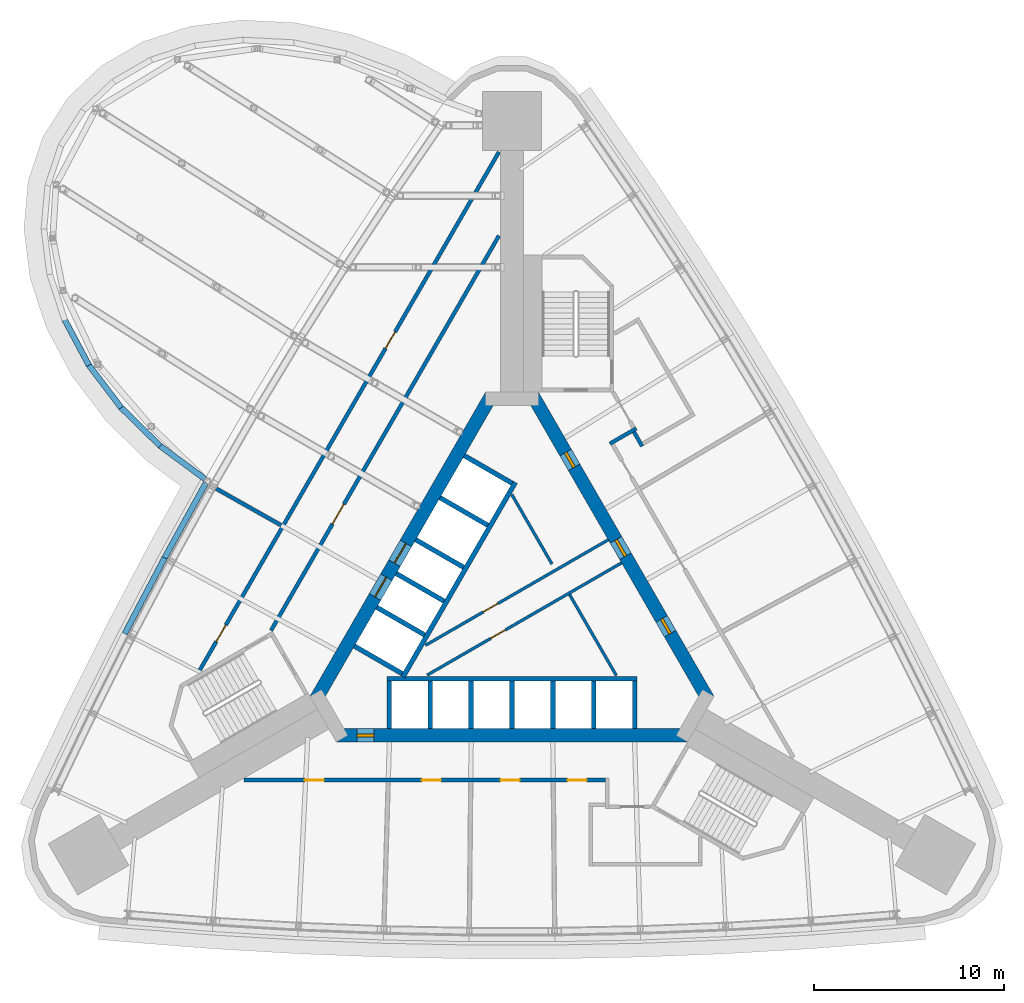
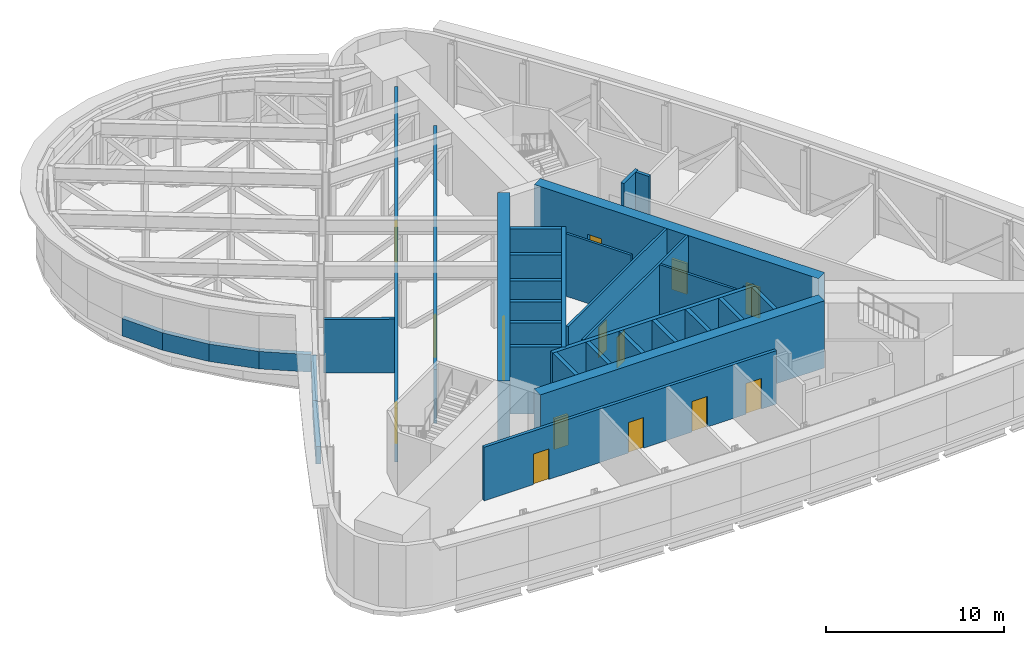
# One storey, part 7 of 11: 34 walls, 15 doors, 15 openings.
"""IFC4 building model written with IfcOpenShell, lengths in metres."""

from ifc_helpers import new_model, si_unit, direction, frame, frame_2d, origin, place, context, subcontext, project, spatial, polyline, rectangle, outline, extrude, material, layer, layer_set, type_object, element, fill, save


model = new_model("IFC4")

# Units and contexts
model_context = context("Model", 3, precision=1e-05, world=origin(), true_north=direction((0.0, 1.0)))
body_context = subcontext(model_context, "Body", "Model", "MODEL_VIEW")
ifc_project = project(units=[si_unit("LENGTHUNIT", "METRE"), si_unit("AREAUNIT", "SQUARE_METRE"), si_unit("VOLUMEUNIT", "CUBIC_METRE"), si_unit("PLANEANGLEUNIT", "RADIAN"), si_unit("MASSUNIT", "GRAM", prefix="KILO")], contexts=[model_context])

# Site, building, storey
site_placement = place(None, origin())
site = spatial("IfcSite", under=ifc_project, at=site_placement, CompositionType="ELEMENT")
building_placement = place(site_placement, origin())
building = spatial("IfcBuilding", under=site, at=building_placement, Name="Noor Cloister Tower", CompositionType="ELEMENT")
storey_placement = place(building_placement, frame((0.0, 0.0, 87.0)))
storey = spatial("IfcBuildingStorey", under=building, at=storey_placement, Name="L22", CompositionType="ELEMENT", Elevation=87.0)

# Wall, opening, door
ifc_material_1 = material(Name="Concrete C30/37", Category="concrete")
ifc_layer_1 = layer(ifc_material_1, 0.14990234375)
ifc_layer_set_1 = layer_set([ifc_layer_1], Name="Core partition 150 C30/37")
wall_type_1 = type_object("IfcWallType", Name="Core partition 150 C30/37", PredefinedType="PARTITIONING", material=ifc_layer_set_1)
wall_1_placement = place(storey_placement, frame((-4.547607421875, -1.8505859375, 0.0), z_axis=(0.0, 0.0, 1.0), x_axis=(0.866023939251, 0.500002536638, 0.0)))
wall_1 = element("IfcWall", 1, at=wall_1_placement, inside=storey, type_object=wall_type_1, Name="Core room partition L22 1", PredefinedType="PARTITIONING", context=body_context, shape_type="SweptSolid", body=[
    extrude(rectangle(XDim=11.091796875, YDim=0.14990234375, at=frame_2d((5.5458984375, 0.0))), origin(), (0.0, 0.0, 1.0), 4.300048828125),
])
opening_1_placement = place(wall_1_placement, frame((3.4970703125, 0.0, 0.0)))
opening_1 = element("IfcOpeningElement", 2, at=opening_1_placement, cuts=wall_1, Name="Opening L22-906", PredefinedType="OPENING", context=body_context, shape_type="SweptSolid", body=[
    extrude(rectangle(XDim=0.89990234375, YDim=2.10009765625, at=frame_2d((0.449951171875, 1.050048828125))), frame((0.0, 0.0849609375, 0.0), z_axis=(0.0, -1.0, 0.0), x_axis=(1.0, 0.0, 0.0)), (0.0, 0.0, 1.0), 0.169921875),
])
ifc_material_2 = material(Name="Steel", Category="steel")
door_type_1 = type_object("IfcDoorType", Name="Core door 900 x 2100 FD60", OperationType="SINGLE_SWING_LEFT", PredefinedType="DOOR", material=ifc_material_2)
door_1_placement = place(opening_1_placement, origin())
door_1 = element("IfcDoor", 3, at=door_1_placement, inside=storey, type_object=door_type_1, Name="Core door 6 L22", OperationType="SINGLE_SWING_RIGHT", OverallHeight=2.10009765625, OverallWidth=0.89990234375, PredefinedType="DOOR", context=body_context, shape_type="SweptSolid", body=[
    extrude(rectangle(XDim=0.89990234375, YDim=2.10009765625, at=frame_2d((0.449951171875, 1.050048828125))), frame((0.0, 0.02490234375, 0.0), z_axis=(0.0, -1.0, 0.0), x_axis=(1.0, 0.0, 0.0)), (0.0, 0.0, 1.0), 0.050048828125),
])
fill(opening_1, door_1)

# Wall
wall_2_placement = place(storey_placement, frame((2.099365234375, 2.420166015625, 0.0), z_axis=(0.0, 0.0, 1.0), x_axis=(-0.499998449073, 0.866026299211, 0.0)))
element("IfcWall", 4, at=wall_2_placement, inside=storey, type_object=wall_type_1, Name="Core room partition L22 2", PredefinedType="PARTITIONING", context=body_context, shape_type="SweptSolid", body=[
    extrude(rectangle(XDim=4.21142578125, YDim=0.14990234375, at=frame_2d((2.105712890625, 0.0))), origin(), (0.0, 0.0, 1.0), 4.300048828125),
])

# Wall, opening, door
wall_3_placement = place(storey_placement, frame((-4.454345703125, -3.4130859375, 0.0), z_axis=(0.0, 0.0, 1.0), x_axis=(0.86603043987, 0.499991277142, 0.0)))
wall_3 = element("IfcWall", 5, at=wall_3_placement, inside=storey, type_object=wall_type_1, Name="Core room partition L22 3", PredefinedType="PARTITIONING", context=body_context, shape_type="SweptSolid", body=[
    extrude(rectangle(XDim=11.792236328125, YDim=0.14990234375, at=frame_2d((5.89599609375, 0.0))), origin(), (0.0, 0.0, 1.0), 4.300048828125),
])
opening_2_placement = place(wall_3_placement, frame((3.84716796875, 0.0, 0.0)))
opening_2 = element("IfcOpeningElement", 6, at=opening_2_placement, cuts=wall_3, Name="Opening L22-904", PredefinedType="OPENING", context=body_context, shape_type="SweptSolid", body=[
    extrude(rectangle(XDim=0.89990234375, YDim=2.10009765625, at=frame_2d((0.449951171875, 1.050048828125))), frame((0.0, 0.0849609375, 0.0), z_axis=(0.0, -1.0, 0.0), x_axis=(1.0, 0.0, 0.0)), (0.0, 0.0, 1.0), 0.169921875),
])
ifc_material_3 = material(Name="Steel", Category="steel")
door_type_2 = type_object("IfcDoorType", Name="Core door 900 x 2100 FD120", OperationType="SINGLE_SWING_LEFT", PredefinedType="DOOR", material=ifc_material_3)
door_2_placement = place(opening_2_placement, origin())
door_2 = element("IfcDoor", 7, at=door_2_placement, inside=storey, type_object=door_type_2, Name="Core door 4 L22", OperationType="SINGLE_SWING_RIGHT", OverallHeight=2.10009765625, OverallWidth=0.89990234375, PredefinedType="DOOR", context=body_context, shape_type="SweptSolid", body=[
    extrude(rectangle(XDim=0.89990234375, YDim=2.10009765625, at=frame_2d((0.449951171875, 1.050048828125))), frame((0.0, 0.02490234375, 0.0), z_axis=(0.0, -1.0, 0.0), x_axis=(1.0, 0.0, 0.0)), (0.0, 0.0, 1.0), 0.050048828125),
])
fill(opening_2, door_2)

# Wall
wall_4_placement = place(storey_placement, frame((5.482421875, -3.439208984375, 0.0), z_axis=(0.0, 0.0, 1.0), x_axis=(-0.500006183238, 0.866021833861, 0.0)))
element("IfcWall", 8, at=wall_4_placement, inside=storey, type_object=wall_type_1, Name="Core room partition L22 4", PredefinedType="PARTITIONING", context=body_context, shape_type="SweptSolid", body=[
    extrude(rectangle(XDim=4.916015625, YDim=0.14990234375, at=frame_2d((2.4580078125, 0.0))), origin(), (0.0, 0.0, 1.0), 4.300048828125),
])

# Wall, opening, door
ifc_material_4 = material(Name="Concrete C80/95", Category="concrete")
ifc_layer_2 = layer(ifc_material_4, 0.699951171875)
ifc_layer_set_2 = layer_set([ifc_layer_2], Name="Core wall 700 C80/95")
wall_type_2 = type_object("IfcWallType", Name="Core wall 700 C80/95", PredefinedType="SHEAR", material=ifc_layer_set_2)
wall_5_placement = place(storey_placement, frame((-9.228759765625, -6.578125, -0.300048828125), z_axis=(0.0, 0.0, 1.0), x_axis=(1.0, 0.0, 0.0)))
wall_5 = element("IfcWall", 9, at=wall_5_placement, inside=storey, type_object=wall_type_2, Name="Core wall L22 1", PredefinedType="SHEAR", context=body_context, shape_type="SweptSolid", body=[
    extrude(rectangle(XDim=18.45751953125, YDim=0.699951171875, at=frame_2d((9.228759765625, 0.0))), origin(), (0.0, 0.0, 1.0), 4.60009765625),
])
opening_3_placement = place(wall_5_placement, frame((1.078857421875, 0.0, 0.300048828125)))
opening_3 = element("IfcOpeningElement", 10, at=opening_3_placement, cuts=wall_5, Name="Opening L22-905", PredefinedType="OPENING", context=body_context, shape_type="SweptSolid", body=[
    extrude(rectangle(XDim=0.89990234375, YDim=2.10009765625, at=frame_2d((0.449951171875, 1.050048828125))), frame((0.0, 0.35986328125, 0.0), z_axis=(0.0, -1.0, 0.0), x_axis=(1.0, 0.0, 0.0)), (0.0, 0.0, 1.0), 0.719970703125),
])
door_3_placement = place(opening_3_placement, origin())
door_3 = element("IfcDoor", 11, at=door_3_placement, inside=storey, type_object=door_type_2, Name="Core door 5 L22", OperationType="SINGLE_SWING_LEFT", OverallHeight=2.10009765625, OverallWidth=0.89990234375, PredefinedType="DOOR", context=body_context, shape_type="SweptSolid", body=[
    extrude(rectangle(XDim=0.89990234375, YDim=2.10009765625, at=frame_2d((0.449951171875, 1.050048828125))), frame((0.0, 0.074951171875, 0.0), z_axis=(0.0, -1.0, 0.0), x_axis=(1.0, 0.0, 0.0)), (0.0, 0.0, 1.0), 0.14990234375),
])
fill(opening_3, door_3)

# Wall, openings, doors
wall_6_placement = place(storey_placement, frame((10.311279296875, -4.703125, -0.300048828125), z_axis=(0.0, 0.0, 1.0), x_axis=(-0.500001446645, 0.866024568562, 0.0)))
wall_6 = element("IfcWall", 12, at=wall_6_placement, inside=storey, type_object=wall_type_2, Name="Core wall L22 3", PredefinedType="SHEAR", context=body_context, shape_type="SweptSolid", body=[
    extrude(rectangle(XDim=18.45751953125, YDim=0.699951171875, at=frame_2d((9.228759765625, 0.0))), origin(), (0.0, 0.0, 1.0), 4.60009765625),
])
opening_4_placement = place(wall_6_placement, frame((8.699951171875, 0.0, 0.300048828125)))
opening_4 = element("IfcOpeningElement", 13, at=opening_4_placement, cuts=wall_6, Name="Opening L22-901", PredefinedType="OPENING", context=body_context, shape_type="SweptSolid", body=[
    extrude(rectangle(XDim=1.0, YDim=2.10009765625, at=frame_2d((0.5, 1.050048828125))), frame((0.0, 0.35986328125, 0.0), z_axis=(0.0, -1.0, 0.0), x_axis=(1.0, 0.0, 0.0)), (0.0, 0.0, 1.0), 0.719970703125),
])
opening_5_placement = place(wall_6_placement, frame((4.001953125, 0.0, 0.300048828125)))
opening_5 = element("IfcOpeningElement", 14, at=opening_5_placement, cuts=wall_6, Name="Opening L22-902", PredefinedType="OPENING", context=body_context, shape_type="SweptSolid", body=[
    extrude(rectangle(XDim=0.89990234375, YDim=2.10009765625, at=frame_2d((0.449951171875, 1.050048828125))), frame((0.0, 0.35986328125, 0.0), z_axis=(0.0, -1.0, 0.0), x_axis=(1.0, 0.0, 0.0)), (0.0, 0.0, 1.0), 0.719970703125),
])
opening_6_placement = place(wall_6_placement, frame((14.093017578125, 0.0, 0.300048828125)))
opening_6 = element("IfcOpeningElement", 15, at=opening_6_placement, cuts=wall_6, Name="Opening L22-903", PredefinedType="OPENING", context=body_context, shape_type="SweptSolid", body=[
    extrude(rectangle(XDim=0.89990234375, YDim=2.10009765625, at=frame_2d((0.449951171875, 1.050048828125))), frame((0.0, 0.35986328125, 0.0), z_axis=(0.0, -1.0, 0.0), x_axis=(1.0, 0.0, 0.0)), (0.0, 0.0, 1.0), 0.719970703125),
])
ifc_material_5 = material(Name="Steel", Category="steel")
door_type_3 = type_object("IfcDoorType", Name="Core door 1000 x 2100 FD120", OperationType="SINGLE_SWING_LEFT", PredefinedType="DOOR", material=ifc_material_5)
door_4_placement = place(opening_4_placement, origin())
door_4 = element("IfcDoor", 16, at=door_4_placement, inside=storey, type_object=door_type_3, Name="Core door 1 L22", OperationType="SINGLE_SWING_LEFT", OverallHeight=2.10009765625, OverallWidth=1.0, PredefinedType="DOOR", context=body_context, shape_type="SweptSolid", body=[
    extrude(rectangle(XDim=1.0, YDim=2.10009765625, at=frame_2d((0.5, 1.050048828125))), frame((0.0, 0.074951171875, 0.0), z_axis=(0.0, -1.0, 0.0), x_axis=(1.0, 0.0, 0.0)), (0.0, 0.0, 1.0), 0.14990234375),
])
fill(opening_4, door_4)
door_5_placement = place(opening_5_placement, origin())
door_5 = element("IfcDoor", 17, at=door_5_placement, inside=storey, type_object=door_type_2, Name="Core door 2 L22", OperationType="SINGLE_SWING_RIGHT", OverallHeight=2.10009765625, OverallWidth=0.89990234375, PredefinedType="DOOR", context=body_context, shape_type="SweptSolid", body=[
    extrude(rectangle(XDim=0.89990234375, YDim=2.10009765625, at=frame_2d((0.449951171875, 1.050048828125))), frame((0.0, 0.074951171875, 0.0), z_axis=(0.0, -1.0, 0.0), x_axis=(1.0, 0.0, 0.0)), (0.0, 0.0, 1.0), 0.14990234375),
])
fill(opening_5, door_5)
door_6_placement = place(opening_6_placement, origin())
door_6 = element("IfcDoor", 18, at=door_6_placement, inside=storey, type_object=door_type_2, Name="Core door 3 L22", OperationType="SINGLE_SWING_LEFT", OverallHeight=2.10009765625, OverallWidth=0.89990234375, PredefinedType="DOOR", context=body_context, shape_type="SweptSolid", body=[
    extrude(rectangle(XDim=0.89990234375, YDim=2.10009765625, at=frame_2d((0.449951171875, 1.050048828125))), frame((0.0, 0.074951171875, 0.0), z_axis=(0.0, -1.0, 0.0), x_axis=(1.0, 0.0, 0.0)), (0.0, 0.0, 1.0), 0.14990234375),
])
fill(opening_6, door_6)

wall_7_placement = place(storey_placement, frame((-1.08251953125, 11.281494140625, -0.300048828125), z_axis=(0.0, 0.0, 1.0), x_axis=(-0.500001446645, -0.866024568562, 0.0)))
wall_7 = element("IfcWall", 19, at=wall_7_placement, inside=storey, type_object=wall_type_2, Name="Core wall L22 5", PredefinedType="SHEAR", context=body_context, shape_type="SweptSolid", body=[
    extrude(rectangle(XDim=18.45751953125, YDim=0.699951171875, at=frame_2d((9.228759765625, 0.0))), origin(), (0.0, 0.0, 1.0), 4.60009765625),
])
opening_7_placement = place(wall_7_placement, frame((8.978759765625, 0.0, 0.300048828125)))
opening_7 = element("IfcOpeningElement", 20, at=opening_7_placement, cuts=wall_7, Name="Opening L22-FF1", PredefinedType="OPENING", context=body_context, shape_type="SweptSolid", body=[
    extrude(rectangle(XDim=1.199951171875, YDim=2.10009765625, at=frame_2d((0.60009765625, 1.050048828125))), frame((0.0, 0.35986328125, 0.0), z_axis=(0.0, -1.0, 0.0), x_axis=(1.0, 0.0, 0.0)), (0.0, 0.0, 1.0), 0.719970703125),
])
opening_8_placement = place(wall_7_placement, frame((11.02880859375, 0.0, 0.300048828125)))
opening_8 = element("IfcOpeningElement", 21, at=opening_8_placement, cuts=wall_7, Name="Opening L22-FF2", PredefinedType="OPENING", context=body_context, shape_type="SweptSolid", body=[
    extrude(rectangle(XDim=1.199951171875, YDim=2.10009765625, at=frame_2d((0.60009765625, 1.050048828125))), frame((0.0, 0.35986328125, 0.0), z_axis=(0.0, -1.0, 0.0), x_axis=(1.0, 0.0, 0.0)), (0.0, 0.0, 1.0), 0.719970703125),
])
ifc_material_6 = material(Name="Stainless steel", Category="steel")
door_type_4 = type_object("IfcDoorType", Name="Lift landing door 1200 x 2100", OperationType="DOUBLE_DOOR_SLIDING", PredefinedType="DOOR", material=ifc_material_6)
door_7_placement = place(opening_7_placement, origin())
door_7 = element("IfcDoor", 22, at=door_7_placement, inside=storey, type_object=door_type_4, Name="Landing door FF1 L22", OperationType="DOUBLE_DOOR_SLIDING", OverallHeight=2.10009765625, OverallWidth=1.199951171875, PredefinedType="DOOR", context=body_context, shape_type="SweptSolid", body=[
    extrude(rectangle(XDim=1.199951171875, YDim=2.10009765625, at=frame_2d((0.60009765625, 1.050048828125))), frame((0.0, 0.02490234375, 0.0), z_axis=(0.0, -1.0, 0.0), x_axis=(1.0, 0.0, 0.0)), (0.0, 0.0, 1.0), 0.050048828125),
])
fill(opening_7, door_7)
door_8_placement = place(opening_8_placement, origin())
door_8 = element("IfcDoor", 23, at=door_8_placement, inside=storey, type_object=door_type_4, Name="Landing door FF2 L22", OperationType="DOUBLE_DOOR_SLIDING", OverallHeight=2.10009765625, OverallWidth=1.199951171875, PredefinedType="DOOR", context=body_context, shape_type="SweptSolid", body=[
    extrude(rectangle(XDim=1.199951171875, YDim=2.10009765625, at=frame_2d((0.60009765625, 1.050048828125))), frame((0.0, 0.02490234375, 0.0), z_axis=(0.0, -1.0, 0.0), x_axis=(1.0, 0.0, 0.0)), (0.0, 0.0, 1.0), 0.050048828125),
])
fill(opening_8, door_8)

# Walls
ifc_material_7 = material(Name="Limestone", Category="masonry")
ifc_layer_3 = layer(ifc_material_7, 0.300048828125)
ifc_layer_set_3 = layer_set([ifc_layer_3], Name="Limestone panel wall 300")
wall_type_3 = type_object("IfcWallType", Name="Limestone panel wall 300", PredefinedType="NOTDEFINED", material=ifc_layer_set_3)
wall_8_placement = place(storey_placement, origin())
element("IfcWall", 24, at=wall_8_placement, inside=storey, type_object=wall_type_3, Name="Limestone panel wall L22 1.14", PredefinedType="NOTDEFINED", context=body_context, shape_type="SweptSolid", body=[
    extrude(outline(polyline([(-23.631103515625, 15.17626953125), (-22.35595703125, 12.78955078125), (-22.09130859375, 12.930908203125), (-23.366455078125, 15.317626953125), (-23.631103515625, 15.17626953125)])), origin(), (0.0, 0.0, 1.0), 1.199951171875),
])
wall_9_placement = place(storey_placement, origin())
element("IfcWall", 25, at=wall_9_placement, inside=storey, type_object=wall_type_3, Name="Limestone panel wall L22 1.15", PredefinedType="NOTDEFINED", context=body_context, shape_type="SweptSolid", body=[
    extrude(outline(polyline([(-22.35595703125, 12.78955078125), (-20.65283203125, 10.54150390625), (-20.413818359375, 10.72265625), (-22.11669921875, 12.970703125), (-22.35595703125, 12.78955078125)])), origin(), (0.0, 0.0, 1.0), 1.199951171875),
])
wall_10_placement = place(storey_placement, origin())
element("IfcWall", 26, at=wall_10_placement, inside=storey, type_object=wall_type_3, Name="Limestone panel wall L22 1.16", PredefinedType="NOTDEFINED", context=body_context, shape_type="SweptSolid", body=[
    extrude(outline(polyline([(-20.65283203125, 10.54150390625), (-18.580078125, 8.508544921875), (-18.3701171875, 8.72265625), (-20.44287109375, 10.755615234375), (-20.65283203125, 10.54150390625)])), origin(), (0.0, 0.0, 1.0), 1.199951171875),
])
wall_11_placement = place(storey_placement, origin())
element("IfcWall", 27, at=wall_11_placement, inside=storey, type_object=wall_type_3, Name="Limestone panel wall L22 1.17", PredefinedType="NOTDEFINED", context=body_context, shape_type="SweptSolid", body=[
    extrude(outline(polyline([(-18.580078125, 8.508544921875), (-16.2080078125, 6.759765625), (-16.030029296875, 7.001220703125), (-18.402099609375, 8.75), (-18.580078125, 8.508544921875)])), origin(), (0.0, 0.0, 1.0), 1.199951171875),
])
wall_12_placement = place(storey_placement, origin())
element("IfcWall", 28, at=wall_12_placement, inside=storey, type_object=wall_type_3, Name="Limestone panel wall L22 2.1", PredefinedType="NOTDEFINED", context=body_context, shape_type="SweptSolid", body=[
    extrude(outline(polyline([(-16.2080078125, 6.759765625), (-18.380859375, 2.819091796875), (-18.1181640625, 2.67431640625), (-15.9453125, 6.61474609375), (-16.2080078125, 6.759765625)])), origin(), (0.0, 0.0, 1.0), 1.199951171875),
])
wall_13_placement = place(storey_placement, origin())
element("IfcWall", 29, at=wall_13_placement, inside=storey, type_object=wall_type_3, Name="Limestone panel wall L22 2.2", PredefinedType="NOTDEFINED", context=body_context, shape_type="SweptSolid", body=[
    extrude(outline(polyline([(-18.380859375, 2.819091796875), (-20.475830078125, -1.16357421875), (-20.210205078125, -1.30322265625), (-18.115478515625, 2.679443359375), (-18.380859375, 2.819091796875)])), origin(), (0.0, 0.0, 1.0), 1.199951171875),
])
ifc_material_8 = material(Name="Concrete C80/95", Category="concrete")
ifc_layer_4 = layer(ifc_material_8, 0.25)
ifc_layer_set_4 = layer_set([ifc_layer_4], Name="Shaft wall 250 C80/95")
wall_type_4 = type_object("IfcWallType", Name="Shaft wall 250 C80/95", PredefinedType="PARTITIONING", material=ifc_layer_set_4)
for number, where, z_axis, x_axis, name in (
    (30, (-6.449951171875, -6.228271484375, -0.300048828125), (0.0, 0.0, 1.0), (0.0, 1.0, 0.0), "Lift shaft wall L22 S 1"),
    (31, (-4.300048828125, -6.228271484375, -0.300048828125), (0.0, 0.0, 1.0), (0.0, 1.0, 0.0), "Lift shaft wall L22 S 2"),
    (32, (-2.14990234375, -6.228271484375, -0.300048828125), (0.0, 0.0, 1.0), (0.0, 1.0, 0.0), "Lift shaft wall L22 S 3"),
    (33, (0.0, -6.228271484375, -0.300048828125), (0.0, 0.0, 1.0), (0.0, 1.0, 0.0), "Lift shaft wall L22 S 4"),
    (34, (2.14990234375, -6.228271484375, -0.300048828125), (0.0, 0.0, 1.0), (0.0, 1.0, 0.0), "Lift shaft wall L22 S 5"),
    (35, (4.300048828125, -6.228271484375, -0.300048828125), (0.0, 0.0, 1.0), (0.0, 1.0, 0.0), "Lift shaft wall L22 S 6"),
    (36, (6.449951171875, -6.228271484375, -0.300048828125), (0.0, 0.0, 1.0), (0.0, 1.0, 0.0), "Lift shaft wall L22 S 7"),
):
    element("IfcWall", number, at=place(storey_placement, frame(where, z_axis=z_axis, x_axis=x_axis)), inside=storey, type_object=wall_type_4, Name=name, PredefinedType="PARTITIONING", context=body_context, shape_type="SweptSolid", body=[
        extrude(rectangle(XDim=2.5, YDim=0.25, at=frame_2d((1.25, 0.0))), origin(), (0.0, 0.0, 1.0), 4.60009765625),
    ])
wall_14_placement = place(storey_placement, frame((-6.574951171875, -3.603271484375, 0.0), z_axis=(0.0, 0.0, 1.0), x_axis=(1.0, 0.0, 0.0)))
element("IfcWall", 37, at=wall_14_placement, inside=storey, type_object=wall_type_4, Name="Lift shaft back wall L22 S", PredefinedType="PARTITIONING", context=body_context, shape_type="SweptSolid", body=[
    extrude(rectangle(XDim=13.14990234375, YDim=0.25, at=frame_2d((6.574951171875, 0.0))), origin(), (0.0, 0.0, 1.0), 4.300048828125),
])
wall_15_placement = place(storey_placement, frame((-2.50634765625, 8.115478515625, -0.300048828125), z_axis=(0.0, 0.0, 1.0), x_axis=(0.865996321171, -0.50005036918, 0.0)))
element("IfcWall", 38, at=wall_15_placement, inside=storey, type_object=wall_type_4, Name="Lift shaft wall L22 NW 1", PredefinedType="PARTITIONING", context=body_context, shape_type="SweptSolid", body=[
    extrude(rectangle(XDim=2.900146484375, YDim=0.25, at=frame_2d((1.4501953125, 0.0))), origin(), (0.0, 0.0, 1.0), 4.60009765625),
])
for number, where, z_axis, x_axis, name in (
    (39, (-3.78125, 5.906982421875, -0.300048828125), (0.0, 0.0, 1.0), (0.866032775405, -0.499987231761, 0.0), "Lift shaft wall L22 NW 2"),
    (40, (-5.056396484375, 3.69873046875, -0.300048828125), (0.0, 0.0, 1.0), (0.866032775405, -0.499987231761, 0.0), "Lift shaft wall L22 NW 3"),
    (41, (-6.081298828125, 1.92333984375, -0.300048828125), (0.0, 0.0, 1.0), (0.866032775405, -0.499987231761, 0.0), "Lift shaft wall L22 NW 4"),
    (42, (-7.106201171875, 0.14794921875, -0.300048828125), (0.0, 0.0, 1.0), (0.866032775405, -0.499987231761, 0.0), "Lift shaft wall L22 NW 5"),
    (43, (-8.28125, -1.88720703125, -0.300048828125), (0.0, 0.0, 1.0), (0.866032775405, -0.499987231761, 0.0), "Lift shaft wall L22 NW 6"),
):
    element("IfcWall", number, at=place(storey_placement, frame(where, z_axis=z_axis, x_axis=x_axis)), inside=storey, type_object=wall_type_4, Name=name, PredefinedType="PARTITIONING", context=body_context, shape_type="SweptSolid", body=[
        extrude(rectangle(XDim=2.89990234375, YDim=0.25, at=frame_2d((1.449951171875, 0.0))), origin(), (0.0, 0.0, 1.0), 4.60009765625),
    ])
wall_16_placement = place(storey_placement, frame((0.176025390625, 6.711181640625, 0.0), z_axis=(0.0, 0.0, 1.0), x_axis=(-0.500004227369, -0.866022963098, 0.0)))
element("IfcWall", 44, at=wall_16_placement, inside=storey, type_object=wall_type_4, Name="Lift shaft back wall L22 NW", PredefinedType="PARTITIONING", context=body_context, shape_type="SweptSolid", body=[
    extrude(rectangle(XDim=11.80029296875, YDim=0.25, at=frame_2d((5.900146484375, 0.0))), origin(), (0.0, 0.0, 1.0), 4.300048828125),
])

# Wall, opening, door
ifc_material_9 = material(Name="Concrete block wall, 200 mm", Category="concrete")
ifc_layer_5 = layer(ifc_material_9, 0.199951171875)
ifc_layer_set_5 = layer_set([ifc_layer_5], Name="Upper floor plant room wall 200")
wall_type_5 = type_object("IfcWallType", Name="Upper floor plant room wall 200", PredefinedType="PARTITIONING", material=ifc_layer_set_5)
wall_17_placement = place(storey_placement, frame((-0.6865234375, 19.667236328125, 0.0), z_axis=(0.0, 0.0, 1.0), x_axis=(-0.500000491645, -0.866025119933, 0.0)))
wall_17 = element("IfcWall", 45, at=wall_17_placement, inside=storey, type_object=wall_type_5, Name="Upper floor plant room wall 200 L22 001", PredefinedType="PARTITIONING", context=body_context, shape_type="SweptSolid", body=[
    extrude(rectangle(XDim=23.94287109375, YDim=0.199951171875, at=frame_2d((11.971435546875, 0.0))), origin(), (0.0, 0.0, 1.0), 3.677978515625),
])
opening_9_placement = place(wall_17_placement, frame((16.286865234375, 0.0, 0.0)))
opening_9 = element("IfcOpeningElement", 46, at=opening_9_placement, cuts=wall_17, Name="Opening L22-003", PredefinedType="OPENING", context=body_context, shape_type="SweptSolid", body=[
    extrude(rectangle(XDim=1.199951171875, YDim=2.10009765625, at=frame_2d((0.60009765625, 1.050048828125))), frame((0.0, 0.10986328125, 0.0), z_axis=(0.0, -1.0, 0.0), x_axis=(1.0, 0.0, 0.0)), (0.0, 0.0, 1.0), 0.219970703125),
])
ifc_material_10 = material(Name="Timber door leaf with steel frame", Category="steel")
door_type_5 = type_object("IfcDoorType", Name="Firefighting lobby door 1200", OperationType="NOTDEFINED", PredefinedType="DOOR", material=ifc_material_10)
door_9_placement = place(opening_9_placement, origin())
door_9 = element("IfcDoor", 47, at=door_9_placement, inside=storey, type_object=door_type_5, Name="Firefighting lobby door 1200 L22-003", OperationType="SINGLE_SWING_RIGHT", OverallHeight=2.10009765625, OverallWidth=1.199951171875, PredefinedType="DOOR", context=body_context, shape_type="SweptSolid", body=[
    extrude(rectangle(XDim=1.199951171875, YDim=2.10009765625, at=frame_2d((0.60009765625, 1.050048828125))), frame((0.0, 0.02490234375, 0.0), z_axis=(0.0, -1.0, 0.0), x_axis=(1.0, 0.0, 0.0)), (0.0, 0.0, 1.0), 0.050048828125),
])
fill(opening_9, door_9)

# Wall, openings, doors
wall_18_placement = place(storey_placement, frame((-16.450439453125, -3.236572265625, 0.0), z_axis=(0.0, 0.0, 1.0), x_axis=(0.499997734893, 0.866026711541, 0.0)))
wall_18 = element("IfcWall", 48, at=wall_18_placement, inside=storey, type_object=wall_type_5, Name="Upper floor plant room wall 200 L22 002", PredefinedType="PARTITIONING", context=body_context, shape_type="SweptSolid", body=[
    extrude(rectangle(XDim=31.527099609375, YDim=0.199951171875, at=frame_2d((15.763671875, 0.0))), origin(), (0.0, 0.0, 1.0), 3.677978515625),
])
opening_10_placement = place(wall_18_placement, frame((19.61474609375, 0.0, 0.0)))
opening_10 = element("IfcOpeningElement", 49, at=opening_10_placement, cuts=wall_18, Name="Opening L22-001", PredefinedType="OPENING", context=body_context, shape_type="SweptSolid", body=[
    extrude(rectangle(XDim=1.0, YDim=2.10009765625, at=frame_2d((0.5, 1.050048828125))), frame((0.0, 0.10986328125, 0.0), z_axis=(0.0, -1.0, 0.0), x_axis=(1.0, 0.0, 0.0)), (0.0, 0.0, 1.0), 0.219970703125),
])
opening_11_placement = place(wall_18_placement, frame((1.82763671875, 0.0, 0.0)))
opening_11 = element("IfcOpeningElement", 50, at=opening_11_placement, cuts=wall_18, Name="Opening L22-002", PredefinedType="OPENING", context=body_context, shape_type="SweptSolid", body=[
    extrude(rectangle(XDim=1.0, YDim=2.10009765625, at=frame_2d((0.5, 1.050048828125))), frame((0.0, 0.10986328125, 0.0), z_axis=(0.0, -1.0, 0.0), x_axis=(1.0, 0.0, 0.0)), (0.0, 0.0, 1.0), 0.219970703125),
])
ifc_material_11 = material(Name="Timber door leaf with steel frame", Category="steel")
door_type_6 = type_object("IfcDoorType", Name="Plant room door 1000", OperationType="NOTDEFINED", PredefinedType="DOOR", material=ifc_material_11)
door_10_placement = place(opening_10_placement, origin())
door_10 = element("IfcDoor", 51, at=door_10_placement, inside=storey, type_object=door_type_6, Name="Plant room door 1000 L22-001", OperationType="SINGLE_SWING_RIGHT", OverallHeight=2.10009765625, OverallWidth=1.0, PredefinedType="DOOR", context=body_context, shape_type="SweptSolid", body=[
    extrude(rectangle(XDim=1.0, YDim=2.10009765625, at=frame_2d((0.5, 1.050048828125))), frame((0.0, 0.02490234375, 0.0), z_axis=(0.0, -1.0, 0.0), x_axis=(1.0, 0.0, 0.0)), (0.0, 0.0, 1.0), 0.050048828125),
])
fill(opening_10, door_10)
door_11_placement = place(opening_11_placement, origin())
door_11 = element("IfcDoor", 52, at=door_11_placement, inside=storey, type_object=door_type_6, Name="Plant room door 1000 L22-002", OperationType="SINGLE_SWING_LEFT", OverallHeight=2.10009765625, OverallWidth=1.0, PredefinedType="DOOR", context=body_context, shape_type="SweptSolid", body=[
    extrude(rectangle(XDim=1.0, YDim=2.10009765625, at=frame_2d((0.5, 1.050048828125))), frame((0.0, 0.02490234375, 0.0), z_axis=(0.0, -1.0, 0.0), x_axis=(1.0, 0.0, 0.0)), (0.0, 0.0, 1.0), 0.050048828125),
])
fill(opening_11, door_11)

# Wall
wall_19_placement = place(storey_placement, frame((-15.598388671875, 6.41552734375, 0.0), z_axis=(0.0, 0.0, 1.0), x_axis=(0.870920683573, -0.491423608433, 0.0)))
element("IfcWall", 53, at=wall_19_placement, inside=storey, type_object=wall_type_5, Name="Upper floor plant room wall 200 L22 003", PredefinedType="PARTITIONING", context=body_context, shape_type="SweptSolid", body=[
    extrude(rectangle(XDim=3.9873046875, YDim=0.199951171875, at=frame_2d((1.99365234375, 0.0))), origin(), (0.0, 0.0, 1.0), 3.677978515625),
])

# Wall, openings, doors
wall_20_placement = place(storey_placement, frame((-14.0908203125, -8.92822265625, 0.0), z_axis=(0.0, 0.0, 1.0), x_axis=(1.0, 0.0, 0.0)))
wall_20 = element("IfcWall", 54, at=wall_20_placement, inside=storey, type_object=wall_type_5, Name="Upper floor plant room wall 200 L22 007", PredefinedType="PARTITIONING", context=body_context, shape_type="SweptSolid", body=[
    extrude(rectangle(XDim=18.99072265625, YDim=0.199951171875, at=frame_2d((9.495361328125, 0.0))), origin(), (0.0, 0.0, 1.0), 3.677978515625),
])
opening_12_placement = place(wall_20_placement, frame((3.20849609375, 0.0, 0.0)))
opening_12 = element("IfcOpeningElement", 55, at=opening_12_placement, cuts=wall_20, Name="Opening L22-004", PredefinedType="OPENING", context=body_context, shape_type="SweptSolid", body=[
    extrude(rectangle(XDim=1.0, YDim=2.10009765625, at=frame_2d((0.5, 1.050048828125))), frame((0.0, 0.10986328125, 0.0), z_axis=(0.0, -1.0, 0.0), x_axis=(1.0, 0.0, 0.0)), (0.0, 0.0, 1.0), 0.219970703125),
])
opening_13_placement = place(wall_20_placement, frame((9.358642578125, 0.0, 0.0)))
opening_13 = element("IfcOpeningElement", 56, at=opening_13_placement, cuts=wall_20, Name="Opening L22-005", PredefinedType="OPENING", context=body_context, shape_type="SweptSolid", body=[
    extrude(rectangle(XDim=1.0, YDim=2.10009765625, at=frame_2d((0.5, 1.050048828125))), frame((0.0, 0.10986328125, 0.0), z_axis=(0.0, -1.0, 0.0), x_axis=(1.0, 0.0, 0.0)), (0.0, 0.0, 1.0), 0.219970703125),
])
opening_14_placement = place(wall_20_placement, frame((13.489501953125, 0.0, 0.0)))
opening_14 = element("IfcOpeningElement", 57, at=opening_14_placement, cuts=wall_20, Name="Opening L22-006", PredefinedType="OPENING", context=body_context, shape_type="SweptSolid", body=[
    extrude(rectangle(XDim=1.0, YDim=2.10009765625, at=frame_2d((0.5, 1.050048828125))), frame((0.0, 0.10986328125, 0.0), z_axis=(0.0, -1.0, 0.0), x_axis=(1.0, 0.0, 0.0)), (0.0, 0.0, 1.0), 0.219970703125),
])
opening_15_placement = place(wall_20_placement, frame((17.012939453125, 0.0, 0.0)))
opening_15 = element("IfcOpeningElement", 58, at=opening_15_placement, cuts=wall_20, Name="Opening L22-007", PredefinedType="OPENING", context=body_context, shape_type="SweptSolid", body=[
    extrude(rectangle(XDim=1.0, YDim=2.10009765625, at=frame_2d((0.5, 1.050048828125))), frame((0.0, 0.10986328125, 0.0), z_axis=(0.0, -1.0, 0.0), x_axis=(1.0, 0.0, 0.0)), (0.0, 0.0, 1.0), 0.219970703125),
])
door_12_placement = place(opening_12_placement, origin())
door_12 = element("IfcDoor", 59, at=door_12_placement, inside=storey, type_object=door_type_6, Name="Plant room door 1000 L22-004", OperationType="SINGLE_SWING_LEFT", OverallHeight=2.10009765625, OverallWidth=1.0, PredefinedType="DOOR", context=body_context, shape_type="SweptSolid", body=[
    extrude(rectangle(XDim=1.0, YDim=2.10009765625, at=frame_2d((0.5, 1.050048828125))), frame((0.0, 0.02490234375, 0.0), z_axis=(0.0, -1.0, 0.0), x_axis=(1.0, 0.0, 0.0)), (0.0, 0.0, 1.0), 0.050048828125),
])
fill(opening_12, door_12)
door_13_placement = place(opening_13_placement, origin())
door_13 = element("IfcDoor", 60, at=door_13_placement, inside=storey, type_object=door_type_6, Name="Plant room door 1000 L22-005", OperationType="SINGLE_SWING_RIGHT", OverallHeight=2.10009765625, OverallWidth=1.0, PredefinedType="DOOR", context=body_context, shape_type="SweptSolid", body=[
    extrude(rectangle(XDim=1.0, YDim=2.10009765625, at=frame_2d((0.5, 1.050048828125))), frame((0.0, 0.02490234375, 0.0), z_axis=(0.0, -1.0, 0.0), x_axis=(1.0, 0.0, 0.0)), (0.0, 0.0, 1.0), 0.050048828125),
])
fill(opening_13, door_13)
door_14_placement = place(opening_14_placement, origin())
door_14 = element("IfcDoor", 61, at=door_14_placement, inside=storey, type_object=door_type_6, Name="Plant room door 1000 L22-006", OperationType="SINGLE_SWING_RIGHT", OverallHeight=2.10009765625, OverallWidth=1.0, PredefinedType="DOOR", context=body_context, shape_type="SweptSolid", body=[
    extrude(rectangle(XDim=1.0, YDim=2.10009765625, at=frame_2d((0.5, 1.050048828125))), frame((0.0, 0.02490234375, 0.0), z_axis=(0.0, -1.0, 0.0), x_axis=(1.0, 0.0, 0.0)), (0.0, 0.0, 1.0), 0.050048828125),
])
fill(opening_14, door_14)
door_15_placement = place(opening_15_placement, origin())
door_15 = element("IfcDoor", 62, at=door_15_placement, inside=storey, type_object=door_type_6, Name="Plant room door 1000 L22-007", OperationType="SINGLE_SWING_RIGHT", OverallHeight=2.10009765625, OverallWidth=1.0, PredefinedType="DOOR", context=body_context, shape_type="SweptSolid", body=[
    extrude(rectangle(XDim=1.0, YDim=2.10009765625, at=frame_2d((0.5, 1.050048828125))), frame((0.0, 0.02490234375, 0.0), z_axis=(0.0, -1.0, 0.0), x_axis=(1.0, 0.0, 0.0)), (0.0, 0.0, 1.0), 0.050048828125),
])
fill(opening_15, door_15)

# Walls
wall_21_placement = place(storey_placement, frame((6.407958984375, 9.357666015625, 0.0), z_axis=(0.0, 0.0, 1.0), x_axis=(0.49996696679, -0.866044474677, 0.0)))
element("IfcWall", 63, at=wall_21_placement, inside=storey, type_object=wall_type_5, Name="Upper floor plant room wall 200 L22 014", PredefinedType="PARTITIONING", context=body_context, shape_type="SweptSolid", body=[
    extrude(rectangle(XDim=0.8642578125, YDim=0.199951171875, at=frame_2d((0.43212890625, 0.0))), origin(), (0.0, 0.0, 1.0), 4.300048828125),
])
wall_22_placement = place(storey_placement, frame((5.147216796875, 8.7451171875, 0.0), z_axis=(0.0, 0.0, 1.0), x_axis=(0.865987117328, 0.500066308224, 0.0)))
element("IfcWall", 64, at=wall_22_placement, inside=storey, type_object=wall_type_5, Name="Upper floor plant room wall 200 L22 015", PredefinedType="PARTITIONING", context=body_context, shape_type="SweptSolid", body=[
    extrude(rectangle(XDim=1.597900390625, YDim=0.199951171875, at=frame_2d((0.798828125, 0.0))), origin(), (0.0, 0.0, 1.0), 4.300048828125),
])

save(model, "model.ifc")
